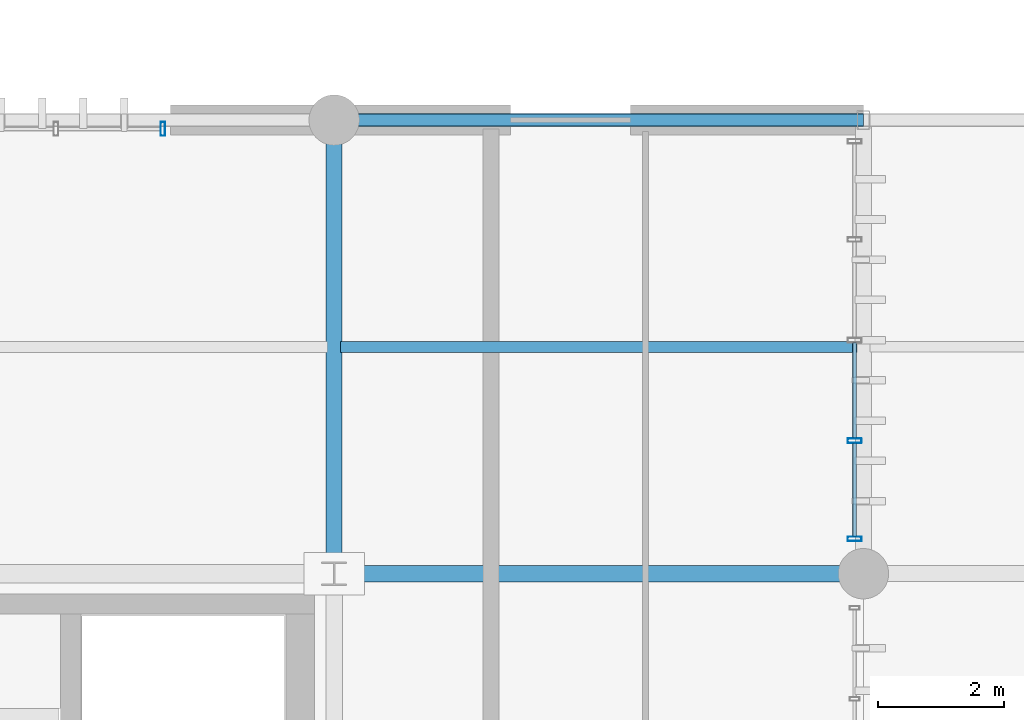
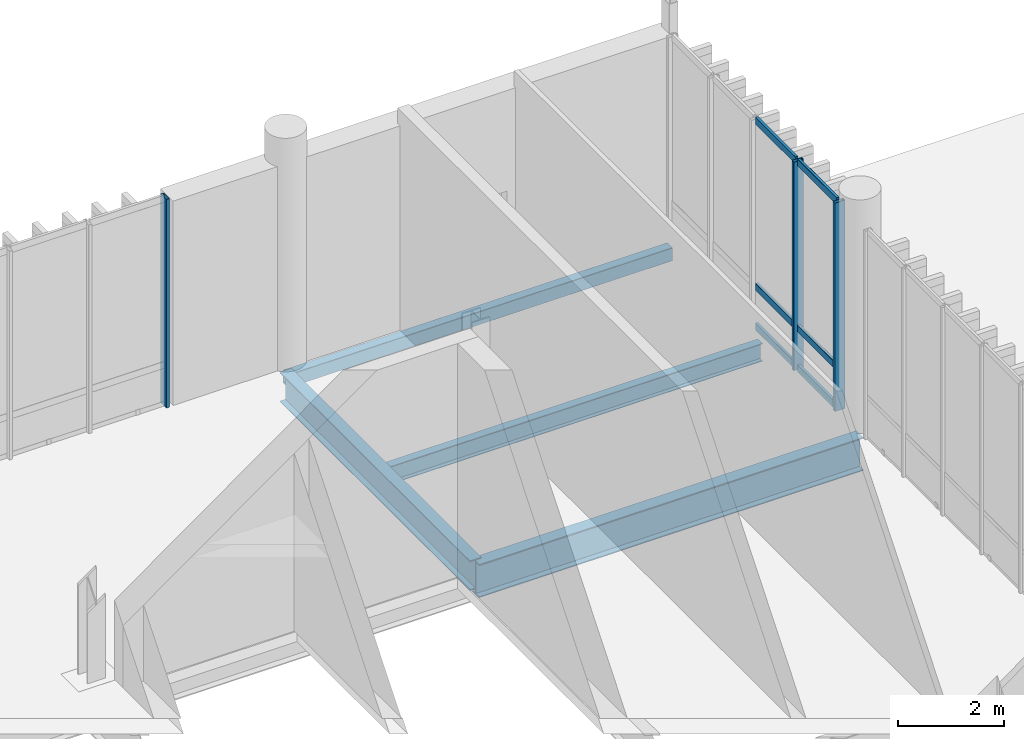
# One storey, part 52 of 112: 9 members, 4 beams, 2 elements without a shape of their own.
"""IFC4 building model written with IfcOpenShell, lengths in metres."""

from ifc_helpers import new_model, si_unit, direction, frame, origin_with_axes, origin_2d_with_axis, place, context, subcontext, project, spatial, hollow_rectangle, i_section, extrude, material, material_profile, profile_set, type_object, element, aggregate, save


model = new_model("IFC4")

# Units and contexts
model_context = context("Model", 3, precision=1e-05, world=origin_with_axes(), true_north=direction((0.0, 1.0)))
body_context = subcontext(model_context, "Body", "Model", "MODEL_VIEW")
ifc_project = project(units=[si_unit("LENGTHUNIT", "METRE"), si_unit("AREAUNIT", "SQUARE_METRE"), si_unit("VOLUMEUNIT", "CUBIC_METRE"), si_unit("PLANEANGLEUNIT", "RADIAN"), si_unit("MASSUNIT", "GRAM", prefix="KILO"), si_unit("THERMODYNAMICTEMPERATUREUNIT", "KELVIN")], contexts=[model_context])

# Site, building, storey
site_placement = place(None, origin_with_axes())
site = spatial("IfcSite", under=ifc_project, at=site_placement, CompositionType="ELEMENT")
building_placement = place(site_placement, origin_with_axes())
building = spatial("IfcBuilding", under=site, at=building_placement, Name="Montbau Bow Law Courts", CompositionType="ELEMENT")
storey_placement = place(building_placement, origin_with_axes())
storey = spatial("IfcBuildingStorey", under=building, at=storey_placement, Name="L00", CompositionType="ELEMENT", Elevation=0.0)

# Beams
ifc_material_1 = material(Name="Steel CSA G40.21 Grade 350W (350 MPa)", Category="steel")
ifc_material_profile_1 = material_profile(ifc_material_1, i_section(OverallWidth=0.267, OverallDepth=0.766, WebThickness=0.0149, FlangeThickness=0.0236, at=origin_2d_with_axis()), Name="W760X185", Category="Main", Priority=0)
ifc_profile_set_1 = profile_set([ifc_material_profile_1], Name="Steel CSA G40.21 Grade 350W (350 MPa)")
beam_type_1 = type_object("IfcBeamType", Name="B-FLR-03", PredefinedType="BEAM", material=ifc_profile_set_1)
beam_1_placement = place(None, frame((88.8, 54.6, -0.673), z_axis=(1.0, 0.0, 0.0), x_axis=(0.0, 1.0, 0.0)))
element("IfcBeam", 1, at=beam_1_placement, inside=storey, type_object=beam_type_1, Name="BM-L00-S0219:bm2_0222", PredefinedType="BEAM", context=body_context, shape_type="SweptSolid", body=[
    extrude(i_section(OverallWidth=0.267, OverallDepth=0.766, WebThickness=0.0149, FlangeThickness=0.0236, at=origin_2d_with_axis()), origin_with_axes(), (0.0, 0.0, 1.0), 8.4),
])
ifc_material_profile_2 = material_profile(ifc_material_1, i_section(OverallWidth=0.254, OverallDepth=0.688, WebThickness=0.0131, FlangeThickness=0.0211, at=origin_2d_with_axis()), Name="W690X152", Category="Main", Priority=0)
ifc_profile_set_2 = profile_set([ifc_material_profile_2], Name="Steel CSA G40.21 Grade 350W (350 MPa)")
beam_type_2 = type_object("IfcBeamType", Name="B-FLR-04", PredefinedType="BEAM", material=ifc_profile_set_2)
beam_2_placement = place(None, frame((88.8, 54.6, -0.584), z_axis=(0.0, 1.0, 0.0), x_axis=(-1.0, 0.0, 0.0)))
element("IfcBeam", 2, at=beam_2_placement, inside=storey, type_object=beam_type_2, Name="BM-L00-S0306:bm2_0309", PredefinedType="BEAM", context=body_context, shape_type="SweptSolid", body=[
    extrude(i_section(OverallWidth=0.254, OverallDepth=0.688, WebThickness=0.0131, FlangeThickness=0.0211, at=origin_2d_with_axis()), origin_with_axes(), (0.0, 0.0, 1.0), 7.2),
])
ifc_material_profile_3 = material_profile(ifc_material_1, i_section(OverallWidth=0.179, OverallDepth=0.41, WebThickness=0.0088, FlangeThickness=0.0144, at=origin_2d_with_axis()), Name="W410X67", Category="Main", Priority=0)
ifc_profile_set_3 = profile_set([ifc_material_profile_3], Name="Steel CSA G40.21 Grade 350W (350 MPa)")
beam_type_3 = type_object("IfcBeamType", Name="B-JST-02", PredefinedType="JOIST", material=ifc_profile_set_3)
beam_3_placement = place(None, frame((88.903, 58.2, -0.495), z_axis=(1.0, 0.0, 0.0), x_axis=(0.0, 1.0, 0.0)))
element("IfcBeam", 3, at=beam_3_placement, inside=storey, type_object=beam_type_3, Name="JST-L00-S0097:jst2_0097", PredefinedType="JOIST", context=body_context, shape_type="SweptSolid", body=[
    extrude(i_section(OverallWidth=0.179, OverallDepth=0.41, WebThickness=0.0088, FlangeThickness=0.0144, at=origin_2d_with_axis()), origin_with_axes(), (0.0, 0.0, 1.0), 8.194),
])
ifc_material_2 = material(Name="Steel CSA G40.21 Grade 350WT (350 MPa)", Category="steel")
ifc_material_profile_4 = material_profile(ifc_material_2, hollow_rectangle(XDim=0.203, YDim=0.305, WallThickness=0.0127, InnerFilletRadius=0.0254, OuterFilletRadius=0.0127, at=origin_2d_with_axis()), Name="HSS305X203X13", Category="Main", Priority=0)
ifc_profile_set_4 = profile_set([ifc_material_profile_4], Name="Steel CSA G40.21 Grade 350WT (350 MPa)")
beam_type_4 = type_object("IfcBeamType", Name="B-SPN-02", PredefinedType="SPANDREL", material=ifc_profile_set_4)
beam_4_placement = place(None, frame((88.8, 61.8, -0.443), z_axis=(1.0, 0.0, 0.0), x_axis=(0.0, 1.0, 0.0)))
element("IfcBeam", 4, at=beam_4_placement, inside=storey, type_object=beam_type_4, Name="SPN-L00-S0232:bm2_0235", PredefinedType="SPANDREL", context=body_context, shape_type="SweptSolid", body=[
    extrude(hollow_rectangle(XDim=0.203, YDim=0.305, WallThickness=0.0127, InnerFilletRadius=0.0254, OuterFilletRadius=0.0127, at=origin_2d_with_axis()), origin_with_axes(), (0.0, 0.0, 1.0), 8.4),
])

# Curtain wall, member
ifc_material_3 = material(Name="Thermally Broken Extruded Aluminium AA 6063-T6", Category="aluminium")
curtain_wall_type = type_object("IfcCurtainWallType", Name="CW-CRM-01", PredefinedType="NOTDEFINED", material=ifc_material_3)
curtain_wall_1_placement = place(None, frame((80.915, 61.66, 0.0), z_axis=(0.0, 0.0, 1.0), x_axis=(1.0, 0.0, 0.0)))
curtain_wall_1 = element("IfcCurtainWall", 5, at=curtain_wall_1_placement, inside=storey, type_object=curtain_wall_type, Name="CW-L00-132:cw_0132", PredefinedType="NOTDEFINED")
ifc_material_profile_5 = material_profile(ifc_material_3, hollow_rectangle(XDim=0.075, YDim=0.22, WallThickness=0.005, InnerFilletRadius=0.01, OuterFilletRadius=0.005, at=origin_2d_with_axis()), Name="CWM-220X75", Category="Main", Priority=0)
ifc_profile_set_5 = profile_set([ifc_material_profile_5], Name="Thermally Broken Extruded Aluminium AA 6063-T6")
member_type_1 = type_object("IfcMemberType", Name="M-MUL-01", PredefinedType="MULLION", material=ifc_profile_set_5)
member_1_placement = place(None, frame((86.082, 61.66, 0.0), z_axis=(0.0, 0.0, 1.0), x_axis=(1.0, 0.0, 0.0)))
member_1 = element("IfcMember", 6, at=member_1_placement, type_object=member_type_1, Name="CW-L00-132-M04:cw_0132_M04", PredefinedType="MULLION", context=body_context, shape_type="SweptSolid", body=[
    extrude(hollow_rectangle(XDim=0.075, YDim=0.22, WallThickness=0.005, InnerFilletRadius=0.01, OuterFilletRadius=0.005, at=origin_2d_with_axis()), origin_with_axes(), (0.0, 0.0, 1.0), 4.82),
])
aggregate(curtain_wall_1, [member_1])

# Curtain wall, members
curtain_wall_2_placement = place(None, frame((97.06, 55.115, 0.0), z_axis=(0.0, 0.0, 1.0), x_axis=(1.0, 0.0, 0.0)))
curtain_wall_2 = element("IfcCurtainWall", 7, at=curtain_wall_2_placement, inside=storey, type_object=curtain_wall_type, Name="CW-L00-138:cw_0138", PredefinedType="NOTDEFINED")
member_2_placement = place(None, frame((97.06, 55.152, 0.0), z_axis=(0.0, 0.0, 1.0), x_axis=(0.0, 1.0, 0.0)))
member_2 = element("IfcMember", 8, at=member_2_placement, type_object=member_type_1, Name="CW-L00-138-M01:cw_0138_M01", PredefinedType="MULLION", context=body_context, shape_type="SweptSolid", body=[
    extrude(hollow_rectangle(XDim=0.075, YDim=0.22, WallThickness=0.005, InnerFilletRadius=0.01, OuterFilletRadius=0.005, at=origin_2d_with_axis()), origin_with_axes(), (0.0, 0.0, 1.0), 4.82),
])
member_3_placement = place(None, frame((97.06, 56.711, 0.0), z_axis=(0.0, 0.0, 1.0), x_axis=(0.0, 1.0, 0.0)))
member_3 = element("IfcMember", 9, at=member_3_placement, type_object=member_type_1, Name="CW-L00-138-M02:cw_0138_M02", PredefinedType="MULLION", context=body_context, shape_type="SweptSolid", body=[
    extrude(hollow_rectangle(XDim=0.075, YDim=0.22, WallThickness=0.005, InnerFilletRadius=0.01, OuterFilletRadius=0.005, at=origin_2d_with_axis()), origin_with_axes(), (0.0, 0.0, 1.0), 4.82),
])
ifc_material_profile_6 = material_profile(ifc_material_3, hollow_rectangle(XDim=0.06, YDim=0.16, WallThickness=0.004, InnerFilletRadius=0.008, OuterFilletRadius=0.004, at=origin_2d_with_axis()), Name="CWT-160X60", Category="Main", Priority=0)
ifc_profile_set_6 = profile_set([ifc_material_profile_6], Name="Thermally Broken Extruded Aluminium AA 6063-T6")
member_type_2 = type_object("IfcMemberType", Name="M-TRN-01", PredefinedType="USERDEFINED", material=ifc_profile_set_6)
member_4_placement = place(None, frame((97.06, 55.191, 0.03), z_axis=(0.0, 1.0, 0.0), x_axis=(-1.0, 0.0, 0.0)))
member_4 = element("IfcMember", 10, at=member_4_placement, type_object=member_type_2, Name="CW-L00-138-T01-1:cw_0138_T01_1", ObjectType="TRANSOM", PredefinedType="USERDEFINED", context=body_context, shape_type="SweptSolid", body=[
    extrude(hollow_rectangle(XDim=0.06, YDim=0.16, WallThickness=0.004, InnerFilletRadius=0.008, OuterFilletRadius=0.004, at=origin_2d_with_axis()), origin_with_axes(), (0.0, 0.0, 1.0), 1.48),
])
member_5_placement = place(None, frame((97.06, 55.191, 0.95), z_axis=(0.0, 1.0, 0.0), x_axis=(-1.0, 0.0, 0.0)))
member_5 = element("IfcMember", 11, at=member_5_placement, type_object=member_type_2, Name="CW-L00-138-T01-2:cw_0138_T01_2", ObjectType="TRANSOM", PredefinedType="USERDEFINED", context=body_context, shape_type="SweptSolid", body=[
    extrude(hollow_rectangle(XDim=0.06, YDim=0.16, WallThickness=0.004, InnerFilletRadius=0.008, OuterFilletRadius=0.004, at=origin_2d_with_axis()), origin_with_axes(), (0.0, 0.0, 1.0), 1.48),
])
member_6_placement = place(None, frame((97.06, 55.191, 4.79), z_axis=(0.0, 1.0, 0.0), x_axis=(-1.0, 0.0, 0.0)))
member_6 = element("IfcMember", 12, at=member_6_placement, type_object=member_type_2, Name="CW-L00-138-T01-3:cw_0138_T01_3", ObjectType="TRANSOM", PredefinedType="USERDEFINED", context=body_context, shape_type="SweptSolid", body=[
    extrude(hollow_rectangle(XDim=0.06, YDim=0.16, WallThickness=0.004, InnerFilletRadius=0.008, OuterFilletRadius=0.004, at=origin_2d_with_axis()), origin_with_axes(), (0.0, 0.0, 1.0), 1.48),
])
member_7_placement = place(None, frame((97.06, 56.751, 0.03), z_axis=(0.0, 1.0, 0.0), x_axis=(-1.0, 0.0, 0.0)))
member_7 = element("IfcMember", 13, at=member_7_placement, type_object=member_type_2, Name="CW-L00-138-T02-1:cw_0138_T02_1", ObjectType="TRANSOM", PredefinedType="USERDEFINED", context=body_context, shape_type="SweptSolid", body=[
    extrude(hollow_rectangle(XDim=0.06, YDim=0.16, WallThickness=0.004, InnerFilletRadius=0.008, OuterFilletRadius=0.004, at=origin_2d_with_axis()), origin_with_axes(), (0.0, 0.0, 1.0), 1.517),
])
member_8_placement = place(None, frame((97.06, 56.751, 0.95), z_axis=(0.0, 1.0, 0.0), x_axis=(-1.0, 0.0, 0.0)))
member_8 = element("IfcMember", 14, at=member_8_placement, type_object=member_type_2, Name="CW-L00-138-T02-2:cw_0138_T02_2", ObjectType="TRANSOM", PredefinedType="USERDEFINED", context=body_context, shape_type="SweptSolid", body=[
    extrude(hollow_rectangle(XDim=0.06, YDim=0.16, WallThickness=0.004, InnerFilletRadius=0.008, OuterFilletRadius=0.004, at=origin_2d_with_axis()), origin_with_axes(), (0.0, 0.0, 1.0), 1.517),
])
member_9_placement = place(None, frame((97.06, 56.751, 4.79), z_axis=(0.0, 1.0, 0.0), x_axis=(-1.0, 0.0, 0.0)))
member_9 = element("IfcMember", 15, at=member_9_placement, type_object=member_type_2, Name="CW-L00-138-T02-3:cw_0138_T02_3", ObjectType="TRANSOM", PredefinedType="USERDEFINED", context=body_context, shape_type="SweptSolid", body=[
    extrude(hollow_rectangle(XDim=0.06, YDim=0.16, WallThickness=0.004, InnerFilletRadius=0.008, OuterFilletRadius=0.004, at=origin_2d_with_axis()), origin_with_axes(), (0.0, 0.0, 1.0), 1.517),
])
aggregate(curtain_wall_2, [member_2, member_3, member_4, member_5, member_6, member_7, member_8, member_9])

save(model, "model.ifc")
